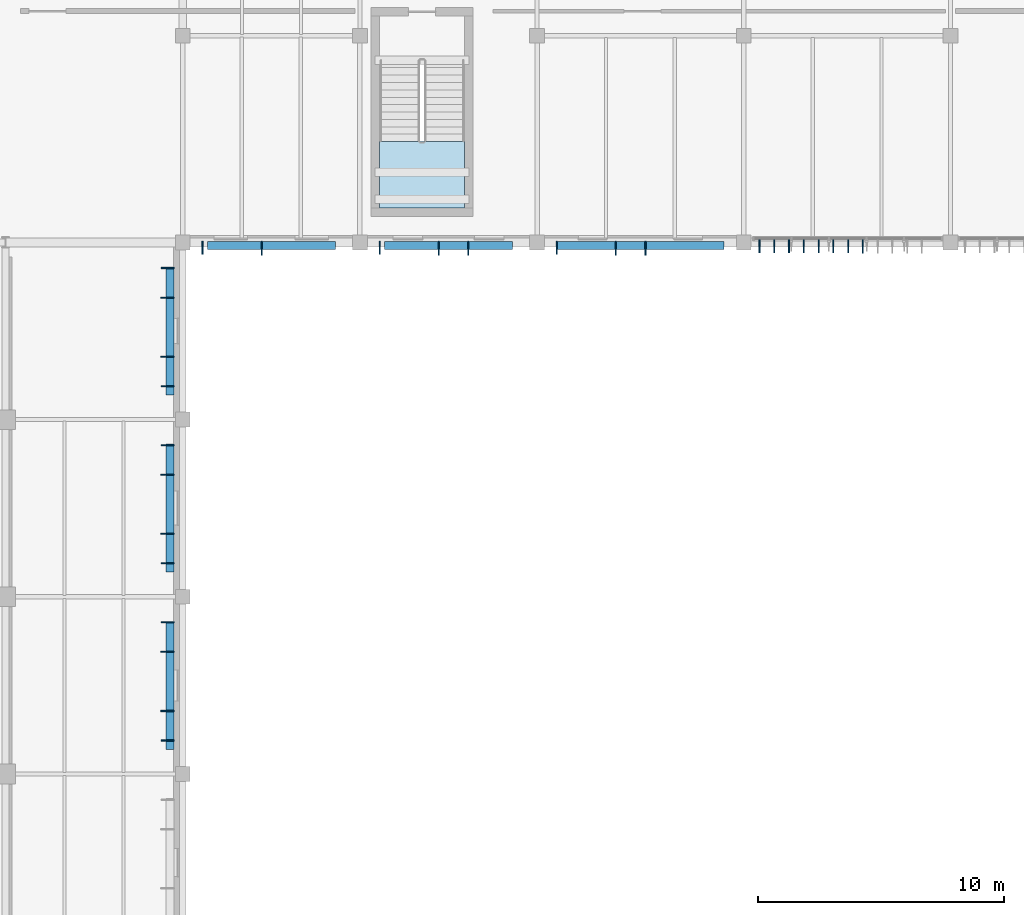
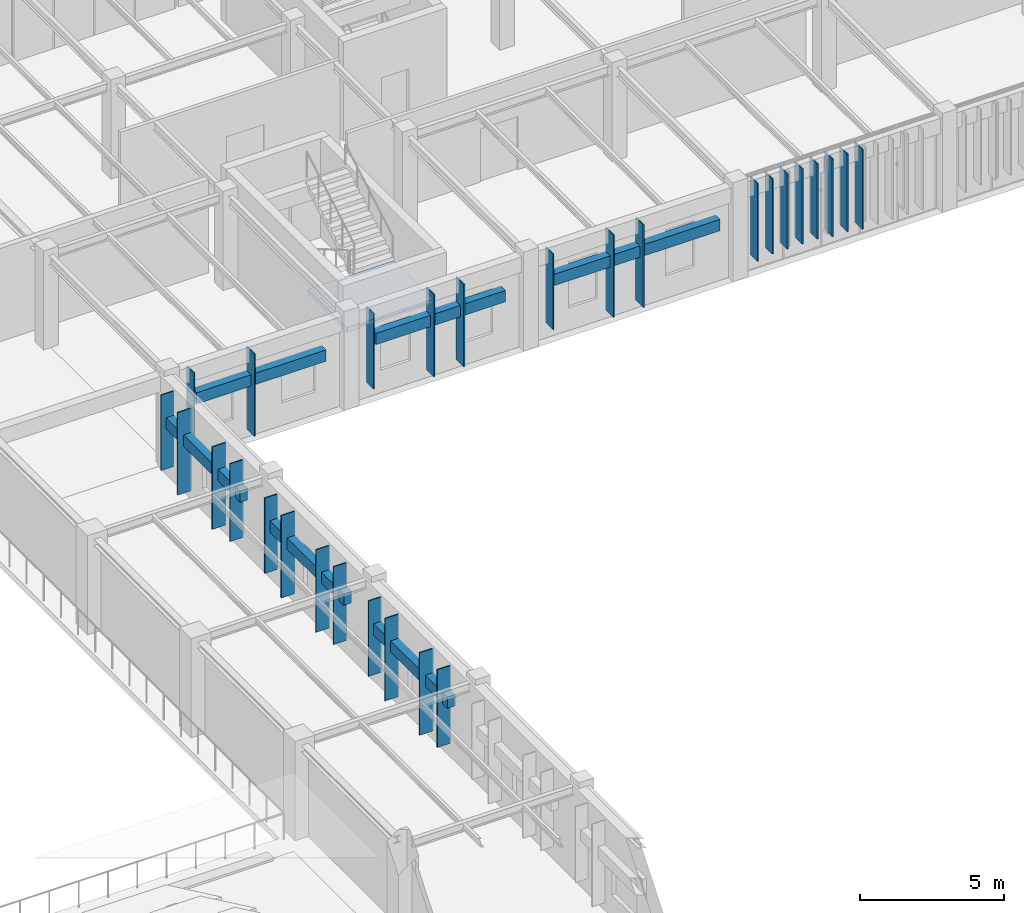
# One storey, part 27 of 104: 34 plates, 1 slab, 1 element without a shape of its own.
"""IFC4 building model written with IfcOpenShell, lengths in metres."""

import ifcopenshell
import ifcopenshell.guid

model = None  # the IFC model being written
_history = None  # IfcOwnerHistory: only IFC2X3 demands one
_inside = {}  # id of a spatial element -> (the spatial element, [elements in it])
_under = {}  # id of a project, library or spatial element -> (it, [spatial elements below it])
_declared = {}  # id of a project -> (the project, [libraries it declares])
_typed = {}  # id of a type object -> (the type object, [elements of that type])
_made_of = {}  # id of a material, layer set ... -> (it, [elements and type objects made of it])


def new_model(schema):
    """Start an empty IFC model of exactly this schema.

    Asked for "IFC4X3", IfcOpenShell would pick the latest addendum, in which some entities
    have other attributes; the version numbers below select the first issue.
    IFC2X3 requires an IfcOwnerHistory on every rooted entity: one is made here for all.
    """
    global model, _history
    if schema == "IFC4X3":
        model = ifcopenshell.file(schema_version=(4, 3, 0, 0))
    else:
        model = ifcopenshell.file(schema=schema)
    _inside.clear()
    _under.clear()
    _declared.clear()
    _typed.clear()
    _made_of.clear()
    _history = None
    if model.schema == "IFC2X3":
        org = make("IfcOrganization", Name="unknown")
        user = make(
            "IfcPersonAndOrganization",
            ThePerson=make("IfcPerson", FamilyName="unknown"),
            TheOrganization=org,
        )
        app = make(
            "IfcApplication",
            ApplicationDeveloper=org,
            Version="unknown",
            ApplicationFullName="unknown",
            ApplicationIdentifier="unknown",
        )
        _history = make(
            "IfcOwnerHistory",
            OwningUser=user,
            OwningApplication=app,
            ChangeAction="ADDED",
            CreationDate=0,
        )
    return model


def make(cls, **values):
    """One entity of the class cls with the attributes given. An attribute that is None is left unset."""
    return model.create_entity(
        cls, **{name: value for name, value in values.items() if value is not None}
    )


def rooted(cls, **values):
    """An entity with a GlobalId (a new one), such as an element, a storey or a relation."""
    return make(cls, GlobalId=ifcopenshell.guid.new(), OwnerHistory=_history, **values)


def si_unit(unit_type, name, prefix=None):
    """IfcSIUnit, for example si_unit("LENGTHUNIT", "METRE", prefix="MILLI")."""
    return make("IfcSIUnit", UnitType=unit_type, Prefix=prefix, Name=name)


def assignment(units):
    """IfcUnitAssignment: the units of a project."""
    return None if units is None else make("IfcUnitAssignment", Units=units)


def point(xyz):
    """IfcCartesianPoint."""
    return None if xyz is None else make("IfcCartesianPoint", Coordinates=xyz)


def direction(xyz):
    """IfcDirection."""
    return None if xyz is None else make("IfcDirection", DirectionRatios=xyz)


def frame(location, z_axis=None, x_axis=None):
    """IfcAxis2Placement3D, a coordinate frame: its origin and axes. An axis left out is left unset."""
    return make(
        "IfcAxis2Placement3D",
        Location=point(location),
        Axis=direction(z_axis),
        RefDirection=direction(x_axis),
    )


def frame_2d(location, x_axis=None):
    """IfcAxis2Placement2D, a coordinate frame in the plane: its origin and x axis."""
    return make(
        "IfcAxis2Placement2D", Location=point(location), RefDirection=direction(x_axis)
    )


def origin():
    """The frame at (0, 0, 0) with its axes left unset."""
    return frame((0.0, 0.0, 0.0))


def origin_2d():
    """The frame at (0, 0) in the plane with its x axis left unset."""
    return frame_2d((0.0, 0.0))


def place(relative_to, where):
    """IfcLocalPlacement: puts the frame where relative to a parent placement (None: the world)."""
    return make(
        "IfcLocalPlacement", PlacementRelTo=relative_to, RelativePlacement=where
    )


def context(
    kind, dimensions, precision=None, world=None, true_north=None, identifier=None
):
    """IfcGeometricRepresentationContext, for example the 3D "Model" context."""
    return make(
        "IfcGeometricRepresentationContext",
        ContextIdentifier=identifier,
        ContextType=kind,
        CoordinateSpaceDimension=dimensions,
        Precision=precision,
        WorldCoordinateSystem=world,
        TrueNorth=true_north,
    )


def subcontext(parent, identifier, kind, view, scale=None):
    """IfcGeometricRepresentationSubContext, for example "Body" below "Model"."""
    return make(
        "IfcGeometricRepresentationSubContext",
        ContextIdentifier=identifier,
        ContextType=kind,
        ParentContext=parent,
        TargetScale=scale,
        TargetView=view,
    )


def project(units=None, contexts=None):
    """IfcProject with its units and contexts."""
    return rooted(
        "IfcProject",
        Name="project",
        RepresentationContexts=contexts,
        UnitsInContext=assignment(units),
    )


def spatial(cls, under=None, at=None, **own):
    """A site, building, storey or space (cls), placed at a placement, below another one or the project."""
    s = rooted(cls, ObjectPlacement=at, **own)
    if under is not None:
        _under.setdefault(under.id(), (under, []))[1].append(s)
    return s


def polyline(points):
    """IfcPolyline through the points."""
    return make("IfcPolyline", Points=[point(p) for p in points])


def profile(cls, at=None, kind="AREA", **sizes):
    """A parametric profile (cls). Its sizes go by their IFC names, for example OverallWidth=200.0."""
    return make(cls, ProfileType=kind, Position=at, **sizes)


def rectangle(**sizes):
    """IfcRectangleProfileDef."""
    return profile("IfcRectangleProfileDef", **sizes)


def outline(outer, holes=None, kind="AREA"):
    """IfcArbitraryClosedProfileDef: a profile drawn as a closed curve; with holes, ...WithVoids."""
    if holes is None:
        return make("IfcArbitraryClosedProfileDef", ProfileType=kind, OuterCurve=outer)
    return make(
        "IfcArbitraryProfileDefWithVoids",
        ProfileType=kind,
        OuterCurve=outer,
        InnerCurves=holes,
    )


def extrude(swept, where, along, depth):
    """IfcExtrudedAreaSolid: the profile swept, set in the frame where, extruded along a direction by depth."""
    return make(
        "IfcExtrudedAreaSolid",
        SweptArea=swept,
        Position=where,
        ExtrudedDirection=direction(along),
        Depth=depth,
    )


def shape(context_of_items, identifier, shape_type, items):
    """IfcShapeRepresentation: the items that make up one representation, for example the "Body"."""
    return make(
        "IfcShapeRepresentation",
        ContextOfItems=context_of_items,
        RepresentationIdentifier=identifier,
        RepresentationType=shape_type,
        Items=items,
    )


def material(Name=None, Category=None):
    """IfcMaterial."""
    return make("IfcMaterial", Name=Name, Category=Category)


def layer(
    of_material, thickness, ventilated=None, Name=None, Category=None, Priority=None
):
    """IfcMaterialLayer: one layer of a wall or slab, of a material (None: an air gap)."""
    return make(
        "IfcMaterialLayer",
        Material=of_material,
        LayerThickness=thickness,
        IsVentilated=ventilated,
        Name=Name,
        Category=Category,
        Priority=Priority,
    )


def layer_set(layers, Name=None):
    """IfcMaterialLayerSet."""
    return make("IfcMaterialLayerSet", MaterialLayers=layers, LayerSetName=Name)


def made_of(thing, what):
    """Note that an element or type object is made of a material, layer set ...; save() writes the relation."""
    if what is not None:
        _made_of.setdefault(what.id(), (what, []))[1].append(thing)
    return thing


def type_object(cls, material=None, **own):
    """A type object (cls), such as IfcWallType, which elements share."""
    return made_of(rooted(cls, **own), material)


def element(
    cls,
    number,
    at=None,
    inside=None,
    cuts=None,
    type_object=None,
    material=None,
    context=None,
    identifier="Body",
    shape_type=None,
    held_by="IfcProductDefinitionShape",
    body=None,
    shapes=None,
    **own,
):
    """One element of the class cls, such as IfcWall. Its Tag is "e" and its number.

    at: its placement. inside: the storey or other place that contains it. cuts: it is an
    opening in that element (IfcRelVoidsElement). A single representation is given by context,
    identifier, shape_type and body (its items); several are given by shapes. held_by: the class
    of the entity that holds the representations. save() writes the other relations.
    """
    e = rooted(cls, Tag="e%d" % number, ObjectPlacement=at, **own)
    if body is not None:
        shapes = [shape(context, identifier, shape_type, body)]
    if shapes is not None:
        e.Representation = make(held_by, Representations=shapes)
    if inside is not None:
        _inside.setdefault(inside.id(), (inside, []))[1].append(e)
    if cuts is not None:
        rooted(
            "IfcRelVoidsElement", RelatingBuildingElement=cuts, RelatedOpeningElement=e
        )
    if type_object is not None:
        _typed.setdefault(type_object.id(), (type_object, []))[1].append(e)
    return made_of(e, material)


def aggregate(whole, parts):
    """IfcRelAggregates: a whole, such as a stair, and the parts it consists of."""
    return rooted("IfcRelAggregates", RelatingObject=whole, RelatedObjects=parts)


def save(model, path):
    """Write the relations noted so far, then the file.

    IfcRelAggregates (storeys below a building ...), IfcRelContainedInSpatialStructure (elements
    in a storey), IfcRelDefinesByType, IfcRelAssociatesMaterial and IfcRelDeclares: one each for
    every whole, place, type object, material and project.
    """
    for whole, parts in _under.values():
        aggregate(whole, parts)
    for where, things in _inside.values():
        rooted(
            "IfcRelContainedInSpatialStructure",
            RelatedElements=things,
            RelatingStructure=where,
        )
    for kind, things in _typed.values():
        rooted("IfcRelDefinesByType", RelatedObjects=things, RelatingType=kind)
    for what, things in _made_of.values():
        rooted("IfcRelAssociatesMaterial", RelatedObjects=things, RelatingMaterial=what)
    for by, libraries in _declared.values():
        rooted("IfcRelDeclares", RelatingContext=by, RelatedDefinitions=libraries)
    model.write(path)


model = new_model("IFC4")

# Units and contexts
model_context = context("Model", 3, precision=1e-05, world=origin(), true_north=direction((0.0, 1.0)))
body_context = subcontext(model_context, "Body", "Model", "MODEL_VIEW")
ifc_project = project(units=[si_unit("LENGTHUNIT", "METRE"), si_unit("AREAUNIT", "SQUARE_METRE"), si_unit("VOLUMEUNIT", "CUBIC_METRE"), si_unit("PLANEANGLEUNIT", "RADIAN"), si_unit("MASSUNIT", "GRAM", prefix="KILO")], contexts=[model_context])

# Site, building, storey
site_placement = place(None, origin())
site = spatial("IfcSite", under=ifc_project, at=site_placement, CompositionType="ELEMENT")
building_placement = place(site_placement, origin())
building = spatial("IfcBuilding", under=site, at=building_placement, Name="Tazoul Stagehouse", CompositionType="ELEMENT")
storey_placement = place(building_placement, frame((0.0, 0.0, 9.0)))
storey = spatial("IfcBuildingStorey", under=building, at=storey_placement, Name="L02", CompositionType="ELEMENT", Elevation=9.0)

# Stair, slab
ifc_material_1 = material(Name="Concrete C40/50", Category="concrete")
stair_type = type_object("IfcStairType", Name="Protected Core Dogleg Stair 4800", PredefinedType="HALF_TURN_STAIR", material=ifc_material_1)
stair_placement = place(storey_placement, origin())
stair = element("IfcStair", 1, at=stair_placement, inside=storey, type_object=stair_type, Name="L02 Core Escape Stair ST-04", PredefinedType="HALF_TURN_STAIR")
ifc_layer_1 = layer(ifc_material_1, 0.179931640625, Name="Concrete C40/50")
ifc_layer_set_1 = layer_set([ifc_layer_1], Name="Concrete C40/50")
slab_type = type_object("IfcSlabType", Name="Core Half-Landing Slab 180", PredefinedType="LANDING", material=ifc_layer_set_1)
slab_placement = place(storey_placement, frame((0.0, 0.0, 1.89990234375)))
slab = element("IfcSlab", 2, at=slab_placement, type_object=slab_type, Name="ST-04 landing 1", PredefinedType="LANDING", context=body_context, shape_type="SweptSolid", body=[
    extrude(outline(polyline([(110.60009765625, 91.89990234375), (110.60009765625, 89.199951171875), (114.050048828125, 89.199951171875), (114.050048828125, 91.89990234375), (110.60009765625, 91.89990234375)])), origin(), (0.0, 0.0, 1.0), 0.2001953125),
])
aggregate(stair, [slab])

# Plates
ifc_material_2 = material(Name="Anodised Bronze Aluminium 6063-T6", Category="aluminium")
ifc_layer_2 = layer(ifc_material_2, 0.52001953125, Name="Anodised Bronze Aluminium 6063-T6")
ifc_layer_set_2 = layer_set([ifc_layer_2], Name="Anodised Bronze Aluminium 6063-T6")
plate_type_1 = type_object("IfcPlateType", Name="Parametric Terracotta-Bronze Solar Fin 520x3200", PredefinedType="USERDEFINED", material=ifc_layer_set_2)
for number, where, z_axis, x_axis, name in (
    (3, (101.989990234375, 86.760009765625, 0.64013671875), (0.0, 0.0, 1.0), (0.0, -1.0, 0.0), "L02 Parametric Solar Fin SFN-18 (WALL-V1-E-L02-S1-B1-01)"),
    (4, (101.989990234375, 79.56005859375, 0.64013671875), (0.0, 0.0, 1.0), (0.0, -1.0, 0.0), "L02 Parametric Solar Fin SFN-18 (WALL-V1-E-L02-S1-B2-01)"),
    (5, (101.989990234375, 72.360107421875, 0.64013671875), (0.0, 0.0, 1.0), (0.0, -1.0, 0.0), "L02 Parametric Solar Fin SFN-18 (WALL-V1-E-L02-S1-B3-01)"),
    (6, (103.405029296875, 87.580078125, 0.64013671875), (0.0, 0.0, 1.0), (1.0, 0.0, 0.0), "L02 Parametric Solar Fin SFN-18 (WALL-V3-S1-L02-S1-01)"),
    (7, (110.60498046875, 87.580078125, 0.64013671875), (0.0, 0.0, 1.0), (1.0, 0.0, 0.0), "L02 Parametric Solar Fin SFN-18 (WALL-V3-S1-L02-S2-01)"),
    (8, (117.804931640625, 87.580078125, 0.64013671875), (0.0, 0.0, 1.0), (1.0, 0.0, 0.0), "L02 Parametric Solar Fin SFN-18 (WALL-V3-S1-L02-S3-01)"),
    (9, (126.639892578125, 87.64990234375, 0.7099609375), (0.0, 0.0, 1.0), (1.0, 0.0, 0.0), "L02 Parametric Solar Fin SFN-18 (CW-V3-S2-L02-B1-02)"),
    (10, (127.239990234375, 87.64990234375, 0.7099609375), (0.0, 0.0, 1.0), (1.0, 0.0, 0.0), "L02 Parametric Solar Fin SFN-18 (CW-V3-S2-L02-B1-03)"),
    (11, (127.840087890625, 87.64990234375, 0.7099609375), (0.0, 0.0, 1.0), (1.0, 0.0, 0.0), "L02 Parametric Solar Fin SFN-18 (CW-V3-S2-L02-B1-04)"),
    (12, (128.43994140625, 87.64990234375, 0.7099609375), (0.0, 0.0, 1.0), (1.0, 0.0, 0.0), "L02 Parametric Solar Fin SFN-18 (CW-V3-S2-L02-B1-05)"),
):
    element("IfcPlate", number, at=place(storey_placement, frame(where, z_axis=z_axis, x_axis=x_axis)), inside=storey, type_object=plate_type_1, Name=name, ObjectType="SOLAR FIN", PredefinedType="USERDEFINED", context=body_context, shape_type="SweptSolid", body=[
        extrude(rectangle(XDim=0.044921875, YDim=0.52001953125, at=origin_2d()), origin(), (0.0, 0.0, 1.0), 3.199951171875),
    ])
ifc_layer_3 = layer(ifc_material_2, 0.530029296875, Name="Anodised Bronze Aluminium 6063-T6")
ifc_layer_set_3 = layer_set([ifc_layer_3], Name="Anodised Bronze Aluminium 6063-T6")
plate_type_2 = type_object("IfcPlateType", Name="Parametric Terracotta-Bronze Solar Fin 530x3300", PredefinedType="USERDEFINED", material=ifc_layer_set_3)
for number, where, z_axis, x_axis, name in (
    (13, (101.985107421875, 81.9599609375, 0.5400390625), (0.0, 0.0, 1.0), (0.0, -1.0, 0.0), "L02 Parametric Solar Fin SFN-19 (WALL-V1-E-L02-S1-B1-05)"),
    (14, (101.985107421875, 74.760009765625, 0.5400390625), (0.0, 0.0, 1.0), (0.0, -1.0, 0.0), "L02 Parametric Solar Fin SFN-19 (WALL-V1-E-L02-S1-B2-05)"),
    (15, (101.985107421875, 67.56005859375, 0.5400390625), (0.0, 0.0, 1.0), (0.0, -1.0, 0.0), "L02 Parametric Solar Fin SFN-19 (WALL-V1-E-L02-S1-B3-05)"),
    (16, (126.0400390625, 87.64501953125, 0.60986328125), (0.0, 0.0, 1.0), (1.0, 0.0, 0.0), "L02 Parametric Solar Fin SFN-19 (CW-V3-S2-L02-B1-01)"),
    (17, (129.0400390625, 87.64501953125, 0.60986328125), (0.0, 0.0, 1.0), (1.0, 0.0, 0.0), "L02 Parametric Solar Fin SFN-19 (CW-V3-S2-L02-B1-06)"),
    (18, (129.639892578125, 87.64501953125, 0.60986328125), (0.0, 0.0, 1.0), (1.0, 0.0, 0.0), "L02 Parametric Solar Fin SFN-19 (CW-V3-S2-L02-B1-07)"),
):
    element("IfcPlate", number, at=place(storey_placement, frame(where, z_axis=z_axis, x_axis=x_axis)), inside=storey, type_object=plate_type_2, Name=name, ObjectType="SOLAR FIN", PredefinedType="USERDEFINED", context=body_context, shape_type="SweptSolid", body=[
        extrude(rectangle(XDim=0.044921875, YDim=0.530029296875, at=origin_2d()), origin(), (0.0, 0.0, 1.0), 3.300048828125),
    ])
ifc_layer_4 = layer(ifc_material_2, 0.5400390625, Name="Anodised Bronze Aluminium 6063-T6")
ifc_layer_set_4 = layer_set([ifc_layer_4], Name="Anodised Bronze Aluminium 6063-T6")
plate_type_3 = type_object("IfcPlateType", Name="Parametric Terracotta-Bronze Solar Fin 540x3400", PredefinedType="USERDEFINED", material=ifc_layer_set_4)
plate_1_placement = place(storey_placement, frame((130.239990234375, 87.639892578125, 0.510009765625), z_axis=(0.0, 0.0, 1.0), x_axis=(1.0, 0.0, 0.0)))
element("IfcPlate", 19, at=plate_1_placement, inside=storey, type_object=plate_type_3, Name="L02 Parametric Solar Fin SFN-20 (CW-V3-S2-L02-B1-08)", ObjectType="SOLAR FIN", PredefinedType="USERDEFINED", context=body_context, shape_type="SweptSolid", body=[
    extrude(rectangle(XDim=0.044921875, YDim=0.5400390625, at=origin_2d()), origin(), (0.0, 0.0, 1.0), 3.39990234375),
])
ifc_layer_5 = layer(ifc_material_2, 0.550048828125, Name="Anodised Bronze Aluminium 6063-T6")
ifc_layer_set_5 = layer_set([ifc_layer_5], Name="Anodised Bronze Aluminium 6063-T6")
plate_type_4 = type_object("IfcPlateType", Name="Parametric Terracotta-Bronze Solar Fin 550x3500", PredefinedType="USERDEFINED", material=ifc_layer_set_5)
for number, where, z_axis, x_axis, name in (
    (20, (101.97509765625, 85.56005859375, 0.340087890625), (0.0, 0.0, 1.0), (0.0, -1.0, 0.0), "L02 Parametric Solar Fin SFN-21 (WALL-V1-E-L02-S1-B1-02)"),
    (21, (101.97509765625, 83.159912109375, 0.340087890625), (0.0, 0.0, 1.0), (0.0, -1.0, 0.0), "L02 Parametric Solar Fin SFN-21 (WALL-V1-E-L02-S1-B1-04)"),
    (22, (101.97509765625, 78.360107421875, 0.340087890625), (0.0, 0.0, 1.0), (0.0, -1.0, 0.0), "L02 Parametric Solar Fin SFN-21 (WALL-V1-E-L02-S1-B2-02)"),
    (23, (101.97509765625, 75.9599609375, 0.340087890625), (0.0, 0.0, 1.0), (0.0, -1.0, 0.0), "L02 Parametric Solar Fin SFN-21 (WALL-V1-E-L02-S1-B2-04)"),
    (24, (101.97509765625, 71.159912109375, 0.340087890625), (0.0, 0.0, 1.0), (0.0, -1.0, 0.0), "L02 Parametric Solar Fin SFN-21 (WALL-V1-E-L02-S1-B3-02)"),
    (25, (101.97509765625, 68.760009765625, 0.340087890625), (0.0, 0.0, 1.0), (0.0, -1.0, 0.0), "L02 Parametric Solar Fin SFN-21 (WALL-V1-E-L02-S1-B3-04)"),
    (26, (105.804931640625, 87.56494140625, 0.340087890625), (0.0, 0.0, 1.0), (1.0, 0.0, 0.0), "L02 Parametric Solar Fin SFN-21 (WALL-V3-S1-L02-S1-03)"),
    (27, (113.0048828125, 87.56494140625, 0.340087890625), (0.0, 0.0, 1.0), (1.0, 0.0, 0.0), "L02 Parametric Solar Fin SFN-21 (WALL-V3-S1-L02-S2-03)"),
    (28, (114.205078125, 87.56494140625, 0.340087890625), (0.0, 0.0, 1.0), (1.0, 0.0, 0.0), "L02 Parametric Solar Fin SFN-21 (WALL-V3-S1-L02-S2-04)"),
    (29, (120.205078125, 87.56494140625, 0.340087890625), (0.0, 0.0, 1.0), (1.0, 0.0, 0.0), "L02 Parametric Solar Fin SFN-21 (WALL-V3-S1-L02-S3-03)"),
    (30, (121.405029296875, 87.56494140625, 0.340087890625), (0.0, 0.0, 1.0), (1.0, 0.0, 0.0), "L02 Parametric Solar Fin SFN-21 (WALL-V3-S1-L02-S3-04)"),
):
    element("IfcPlate", number, at=place(storey_placement, frame(where, z_axis=z_axis, x_axis=x_axis)), inside=storey, type_object=plate_type_4, Name=name, ObjectType="SOLAR FIN", PredefinedType="USERDEFINED", context=body_context, shape_type="SweptSolid", body=[
        extrude(rectangle(XDim=0.044921875, YDim=0.550048828125, at=origin_2d()), origin(), (0.0, 0.0, 1.0), 3.5),
    ])
ifc_layer_6 = layer(ifc_material_2, 0.320068359375, Name="Anodised Bronze Aluminium 6063-T6")
ifc_layer_set_6 = layer_set([ifc_layer_6], Name="Anodised Bronze Aluminium 6063-T6")
plate_type_5 = type_object("IfcPlateType", Name="Sculpted Facade Spandrel Ribbon 5200x480", PredefinedType="USERDEFINED", material=ifc_layer_set_6)
for number, where, z_axis, x_axis, name in (
    (31, (102.090087890625, 84.199951171875, 2.333984375), (0.0, 0.0, 1.0), (0.0, -1.0, 0.0), "L02 Sculpted Facade Spandrel Ribbon FRB-07 (WALL-V1-E-L02-S1-B1)"),
    (32, (102.090087890625, 77.0, 2.333984375), (0.0, 0.0, 1.0), (0.0, -1.0, 0.0), "L02 Sculpted Facade Spandrel Ribbon FRB-07 (WALL-V1-E-L02-S1-B2)"),
    (33, (102.090087890625, 69.800048828125, 2.333984375), (0.0, 0.0, 1.0), (0.0, -1.0, 0.0), "L02 Sculpted Facade Spandrel Ribbon FRB-07 (WALL-V1-E-L02-S1-B3)"),
    (34, (106.199951171875, 87.679931640625, 2.333984375), (0.0, 0.0, 1.0), (1.0, 0.0, 0.0), "L02 Sculpted Facade Spandrel Ribbon FRB-07 (WALL-V3-S1-L02-S1)"),
    (35, (113.39990234375, 87.679931640625, 2.333984375), (0.0, 0.0, 1.0), (1.0, 0.0, 0.0), "L02 Sculpted Facade Spandrel Ribbon FRB-07 (WALL-V3-S1-L02-S2)"),
):
    element("IfcPlate", number, at=place(storey_placement, frame(where, z_axis=z_axis, x_axis=x_axis)), inside=storey, type_object=plate_type_5, Name=name, ObjectType="FACADE RIBBON", PredefinedType="USERDEFINED", context=body_context, shape_type="SweptSolid", body=[
        extrude(rectangle(XDim=5.199951171875, YDim=0.320068359375, at=origin_2d()), origin(), (0.0, 0.0, 1.0), 0.47998046875),
    ])
ifc_layer_7 = layer(ifc_material_2, 0.320068359375, Name="Anodised Bronze Aluminium 6063-T6")
ifc_layer_set_7 = layer_set([ifc_layer_7], Name="Anodised Bronze Aluminium 6063-T6")
plate_type_6 = type_object("IfcPlateType", Name="Sculpted Facade Spandrel Ribbon 6800x480", PredefinedType="USERDEFINED", material=ifc_layer_set_7)
plate_2_placement = place(storey_placement, frame((121.199951171875, 87.679931640625, 2.333984375), z_axis=(0.0, 0.0, 1.0), x_axis=(1.0, 0.0, 0.0)))
element("IfcPlate", 36, at=plate_2_placement, inside=storey, type_object=plate_type_6, Name="L02 Sculpted Facade Spandrel Ribbon FRB-10 (WALL-V3-S1-L02-S3)", ObjectType="FACADE RIBBON", PredefinedType="USERDEFINED", context=body_context, shape_type="SweptSolid", body=[
    extrude(rectangle(XDim=6.800048828125, YDim=0.320068359375, at=origin_2d()), origin(), (0.0, 0.0, 1.0), 0.47998046875),
])

save(model, "model.ifc")
